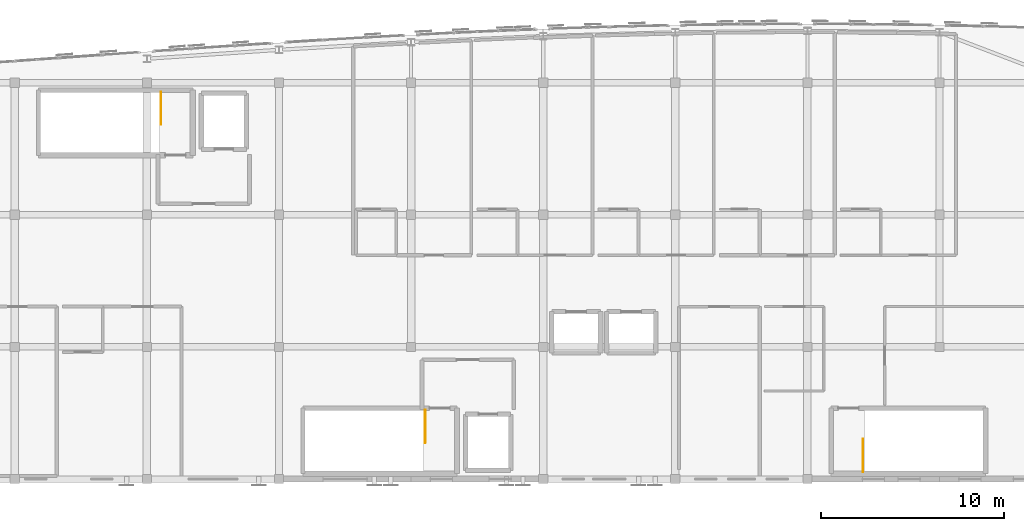
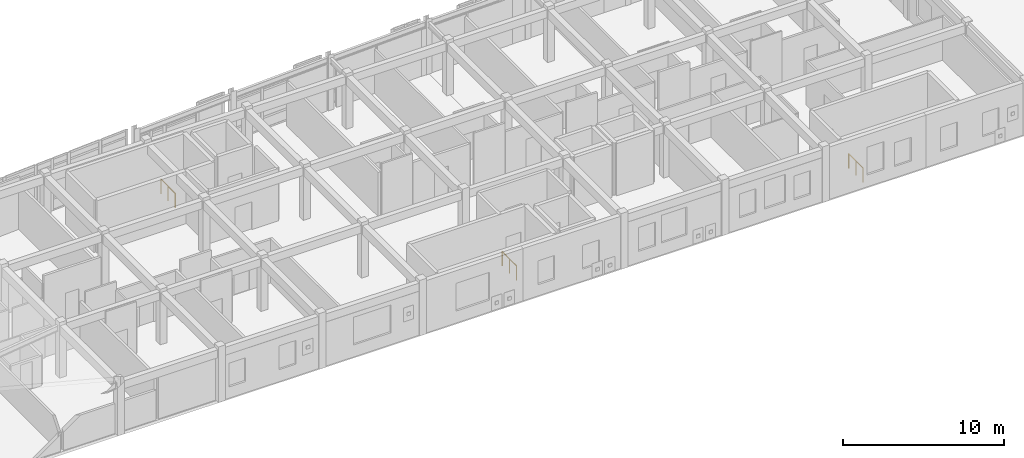
# One storey, part 24 of 24: 3 railings.
"""IFC4 building model written with IfcOpenShell, lengths in metres."""

from ifc_helpers import new_model, si_unit, direction, frame, origin, origin_2d, place, context, subcontext, project, spatial, circle, extrude, material, layer, layer_set, type_object, element, save


model = new_model("IFC4")

# Units and contexts
model_context = context("Model", 3, precision=1e-05, world=origin(), true_north=direction((0.0, 1.0)))
body_context = subcontext(model_context, "Body", "Model", "MODEL_VIEW")
ifc_project = project(units=[si_unit("LENGTHUNIT", "METRE"), si_unit("AREAUNIT", "SQUARE_METRE"), si_unit("VOLUMEUNIT", "CUBIC_METRE"), si_unit("PLANEANGLEUNIT", "RADIAN"), si_unit("MASSUNIT", "GRAM", prefix="KILO")], contexts=[model_context])

# Site, building, storey
site_placement = place(None, origin())
site = spatial("IfcSite", under=ifc_project, at=site_placement, CompositionType="ELEMENT")
building_placement = place(site_placement, origin())
building = spatial("IfcBuilding", under=site, at=building_placement, Name="Carrowvane Square Congress Hotel", CompositionType="ELEMENT")
storey_placement = place(building_placement, frame((0.0, 0.0, 44.39990234375)))
storey = spatial("IfcBuildingStorey", under=building, at=storey_placement, Name="L11", CompositionType="ELEMENT", Elevation=44.39990234375)

# Railings
ifc_material = material(Name="Galvanised steel", Category="steel")
ifc_layer = layer(ifc_material, 0.048095703125)
ifc_layer_set = layer_set([ifc_layer], Name="Galvanised steel")
railing_type = type_object("IfcRailingType", Name="RLG-STG-1100", PredefinedType="GUARDRAIL", material=ifc_layer_set)
railing_1_placement = place(storey_placement, frame((62.77001953125, 112.89990234375, 0.0)))
element("IfcRailing", 1, at=railing_1_placement, inside=storey, type_object=railing_type, Name="L11 ST1 top well guard 1", PredefinedType="GUARDRAIL", context=body_context, shape_type="SweptSolid", body=[
    extrude(circle(Radius=0.02392578125, at=origin_2d()), frame((0.0, 0.0, 1.076171875), z_axis=(0.0, -1.0, 0.0), x_axis=(1.0, 0.0, 0.0)), (0.0, 0.0, 1.0), 1.77978515625),
    extrude(circle(Radius=0.02099609375, at=origin_2d()), origin(), (0.0, 0.0, 1.0), 1.052001953125),
    extrude(circle(Radius=0.02099609375, at=origin_2d()), frame((0.0, -0.889892578125, 0.0)), (0.0, 0.0, 1.0), 1.052001953125),
    extrude(circle(Radius=0.02099609375, at=origin_2d()), frame((0.0, -1.77978515625, 0.0)), (0.0, 0.0, 1.0), 1.052001953125),
])
railing_2_placement = place(storey_placement, frame((77.169921875, 95.56005859375, 0.0)))
element("IfcRailing", 2, at=railing_2_placement, inside=storey, type_object=railing_type, Name="L11 ST2 top well guard 1", PredefinedType="GUARDRAIL", context=body_context, shape_type="SweptSolid", body=[
    extrude(circle(Radius=0.02392578125, at=origin_2d()), frame((0.0, 0.0, 1.076171875), z_axis=(0.0, -1.0, 0.0), x_axis=(1.0, 0.0, 0.0)), (0.0, 0.0, 1.0), 1.780029296875),
    extrude(circle(Radius=0.02099609375, at=origin_2d()), origin(), (0.0, 0.0, 1.0), 1.052001953125),
    extrude(circle(Radius=0.02099609375, at=origin_2d()), frame((0.0, -0.89013671875, 0.0)), (0.0, 0.0, 1.0), 1.052001953125),
    extrude(circle(Radius=0.02099609375, at=origin_2d()), frame((0.0, -1.780029296875, 0.0)), (0.0, 0.0, 1.0), 1.052001953125),
])
railing_3_placement = place(storey_placement, frame((101.030029296875, 92.199951171875, 0.0)))
element("IfcRailing", 3, at=railing_3_placement, inside=storey, type_object=railing_type, Name="L11 ST3 top well guard 1", PredefinedType="GUARDRAIL", context=body_context, shape_type="SweptSolid", body=[
    extrude(circle(Radius=0.02392578125, at=origin_2d()), frame((0.0, 0.0, 1.076171875), z_axis=(0.0, 1.0, 0.0), x_axis=(-1.0, 0.0, 0.0)), (0.0, 0.0, 1.0), 1.780029296875),
    extrude(circle(Radius=0.02099609375, at=origin_2d()), origin(), (0.0, 0.0, 1.0), 1.052001953125),
    extrude(circle(Radius=0.02099609375, at=origin_2d()), frame((0.0, 0.89013671875, 0.0)), (0.0, 0.0, 1.0), 1.052001953125),
    extrude(circle(Radius=0.02099609375, at=origin_2d()), frame((0.0, 1.780029296875, 0.0)), (0.0, 0.0, 1.0), 1.052001953125),
])

save(model, "model.ifc")
